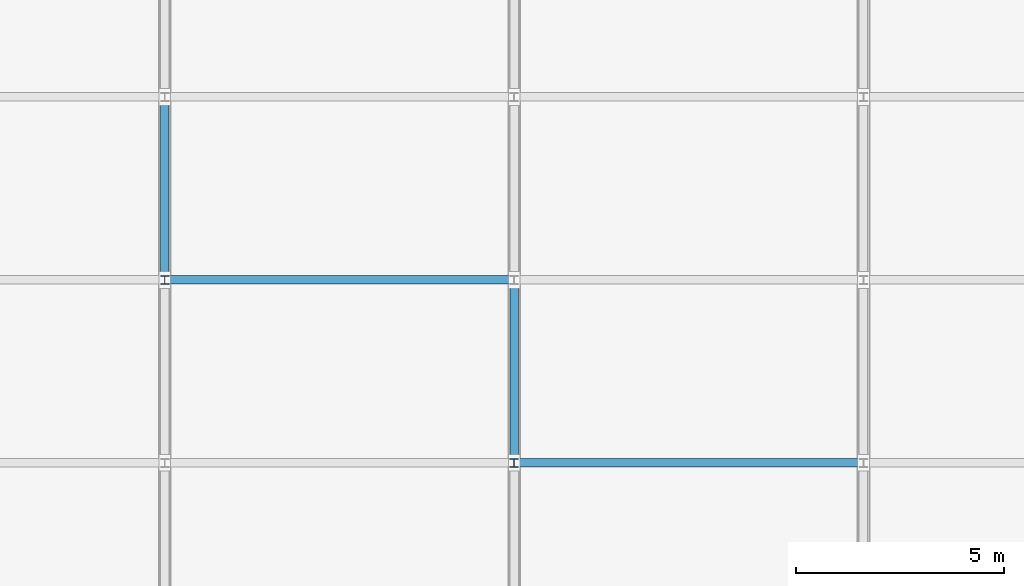
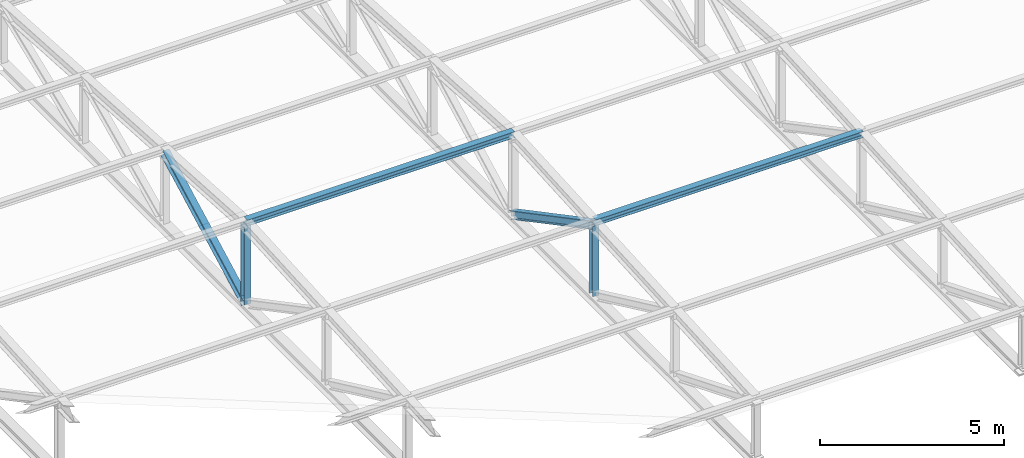
# One storey, part 14 of 49: 6 members.
"""IFC4 building model written with IfcOpenShell, lengths in metres."""

from ifc_helpers import new_model, si_unit, direction, frame, origin, origin_2d, place, context, subcontext, project, spatial, i_section, extrude, material, material_profile, profile_set, type_object, element, save


model = new_model("IFC4")

# Units and contexts
model_context = context("Model", 3, precision=1e-05, world=origin(), true_north=direction((0.0, 1.0)))
body_context = subcontext(model_context, "Body", "Model", "MODEL_VIEW")
ifc_project = project(units=[si_unit("LENGTHUNIT", "METRE"), si_unit("AREAUNIT", "SQUARE_METRE"), si_unit("VOLUMEUNIT", "CUBIC_METRE"), si_unit("PLANEANGLEUNIT", "RADIAN"), si_unit("MASSUNIT", "GRAM", prefix="KILO")], contexts=[model_context])

# Site, building, storey
site_placement = place(None, origin())
site = spatial("IfcSite", under=ifc_project, at=site_placement, CompositionType="ELEMENT")
building_placement = place(site_placement, origin())
building = spatial("IfcBuilding", under=site, at=building_placement, Name="Kemercrest Conservatory and Botanical Centre", CompositionType="ELEMENT")
storey_placement = place(building_placement, frame((0.0, 0.0, 13.199951171875)))
storey = spatial("IfcBuildingStorey", under=building, at=storey_placement, Name="L03", CompositionType="ELEMENT", Elevation=13.199951171875)

# Members
ifc_material = material(Name="Steel CSA G40.21 350W", Category="steel")
ifc_material_profile_1 = material_profile(ifc_material, i_section(OverallWidth=0.202880859375, OverallDepth=0.202880859375, WebThickness=0.007080078125, FlangeThickness=0.010986328125, FilletRadius=0.010009765625, at=origin_2d()), Name="W200X46")
ifc_profile_set_1 = profile_set([ifc_material_profile_1], Name="Steel CSA G40.21 350W")
member_type_1 = type_object("IfcMemberType", Name="PR-W200", PredefinedType="PURLIN", material=ifc_profile_set_1)
member_1_placement = place(storey_placement, frame((83.60009765625, 25.60009765625, 2.413330078125), z_axis=(1.0, 0.0, 0.0), x_axis=(0.0, 1.0, 0.0)))
element("IfcMember", 1, at=member_1_placement, inside=storey, type_object=member_type_1, Name="Auditorium roof purlin P2", PredefinedType="PURLIN", context=body_context, shape_type="SweptSolid", body=[
    extrude(i_section(OverallWidth=0.202880859375, OverallDepth=0.202880859375, WebThickness=0.007080078125, FlangeThickness=0.010986328125, FilletRadius=0.010009765625, at=origin_2d()), origin(), (0.0, 0.0, 1.0), 8.39990234375),
])
member_2_placement = place(storey_placement, frame((75.199951171875, 30.0, 2.679931640625), z_axis=(1.0, 0.0, 0.0), x_axis=(0.0, 1.0, 0.0)))
element("IfcMember", 2, at=member_2_placement, inside=storey, type_object=member_type_1, Name="Auditorium roof purlin P3", PredefinedType="PURLIN", context=body_context, shape_type="SweptSolid", body=[
    extrude(i_section(OverallWidth=0.202880859375, OverallDepth=0.202880859375, WebThickness=0.007080078125, FlangeThickness=0.010986328125, FilletRadius=0.010009765625, at=origin_2d()), origin(), (0.0, 0.0, 1.0), 8.400146484375),
])
ifc_material_profile_2 = material_profile(ifc_material, i_section(OverallWidth=0.202880859375, OverallDepth=0.202880859375, WebThickness=0.007080078125, FlangeThickness=0.010986328125, FilletRadius=0.010009765625, at=origin_2d()), Name="W200X46")
ifc_profile_set_2 = profile_set([ifc_material_profile_2], Name="Steel CSA G40.21 350W")
member_type_2 = type_object("IfcMemberType", Name="TR-VRT200", PredefinedType="BRACE", material=ifc_profile_set_2)
member_3_placement = place(storey_placement, frame((75.199951171875, 30.0, -0.014892578125), z_axis=(0.0, 0.0, 1.0), x_axis=(1.0, 0.0, 0.0)))
element("IfcMember", 3, at=member_3_placement, inside=storey, type_object=member_type_2, Name="Auditorium Roof Truss Vertical Strut 09-V3", PredefinedType="BRACE", context=body_context, shape_type="SweptSolid", body=[
    extrude(i_section(OverallWidth=0.202880859375, OverallDepth=0.202880859375, WebThickness=0.007080078125, FlangeThickness=0.010986328125, FilletRadius=0.010009765625, at=origin_2d()), origin(), (0.0, 0.0, 1.0), 2.614990234375),
])
member_4_placement = place(storey_placement, frame((83.60009765625, 25.60009765625, -0.014892578125), z_axis=(0.0, 0.0, 1.0), x_axis=(1.0, 0.0, 0.0)))
element("IfcMember", 4, at=member_4_placement, inside=storey, type_object=member_type_2, Name="Auditorium Roof Truss Vertical Strut 10-V2", PredefinedType="BRACE", context=body_context, shape_type="SweptSolid", body=[
    extrude(i_section(OverallWidth=0.202880859375, OverallDepth=0.202880859375, WebThickness=0.007080078125, FlangeThickness=0.010986328125, FilletRadius=0.010009765625, at=origin_2d()), origin(), (0.0, 0.0, 1.0), 2.34814453125),
])
ifc_material_profile_3 = material_profile(ifc_material, i_section(OverallWidth=0.202880859375, OverallDepth=0.251953125, WebThickness=0.008056640625, FlangeThickness=0.013427734375, FilletRadius=0.010986328125, at=origin_2d()), Name="W250X58")
ifc_profile_set_3 = profile_set([ifc_material_profile_3], Name="Steel CSA G40.21 350W")
member_type_3 = type_object("IfcMemberType", Name="TR-WEB250", PredefinedType="BRACE", material=ifc_profile_set_3)
for number, where, z_axis, x_axis, name in (
    (5, (75.199951171875, 30.0, -0.014892578125), (0.0, 0.883890492112, 0.467693914814), (-1.0, 0.0, 0.0), "Auditorium Roof Truss Web Diagonal 09-D3"),
    (6, (83.60009765625, 25.60009765625, 2.313232421875), (0.0, 0.883890492112, -0.467693914814), (-1.0, 0.0, 0.0), "Auditorium Roof Truss Web Diagonal 10-D2"),
):
    element("IfcMember", number, at=place(storey_placement, frame(where, z_axis=z_axis, x_axis=x_axis)), inside=storey, type_object=member_type_3, Name=name, PredefinedType="BRACE", context=body_context, shape_type="SweptSolid", body=[
        extrude(i_section(OverallWidth=0.202880859375, OverallDepth=0.251953125, WebThickness=0.008056640625, FlangeThickness=0.013427734375, FilletRadius=0.010986328125, at=origin_2d()), origin(), (0.0, 0.0, 1.0), 4.977783203125),
    ])

save(model, "model.ifc")
